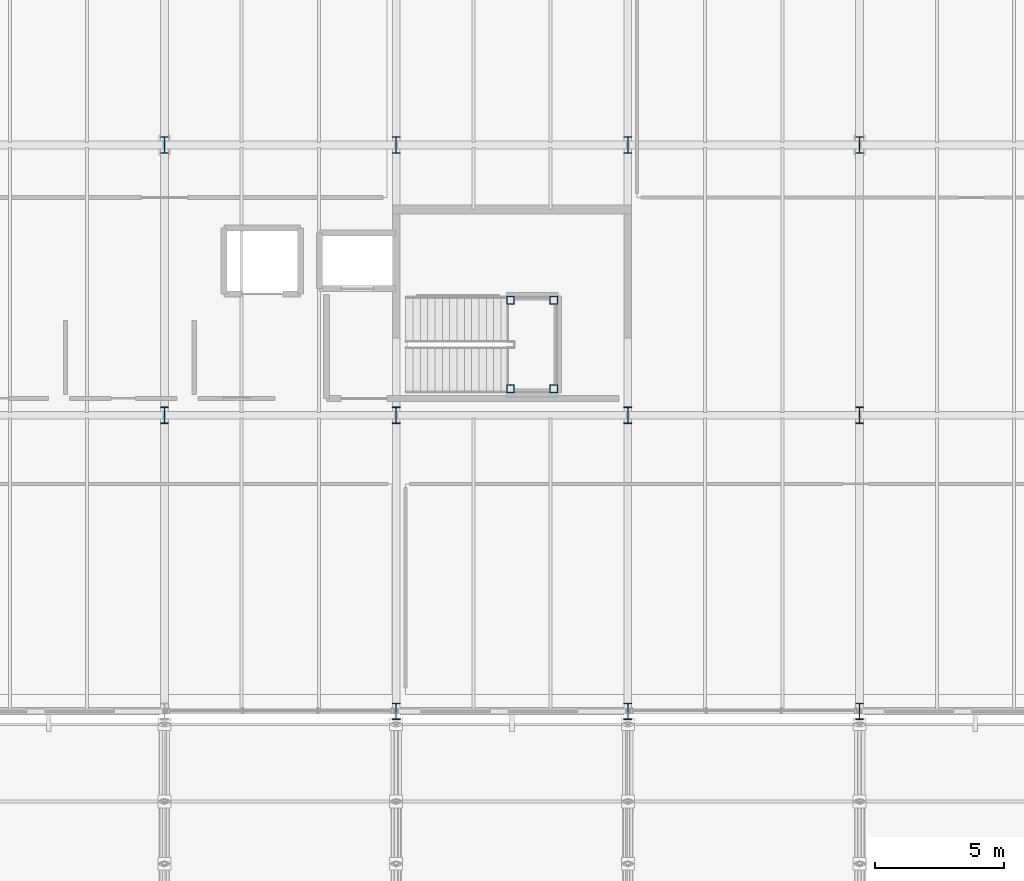
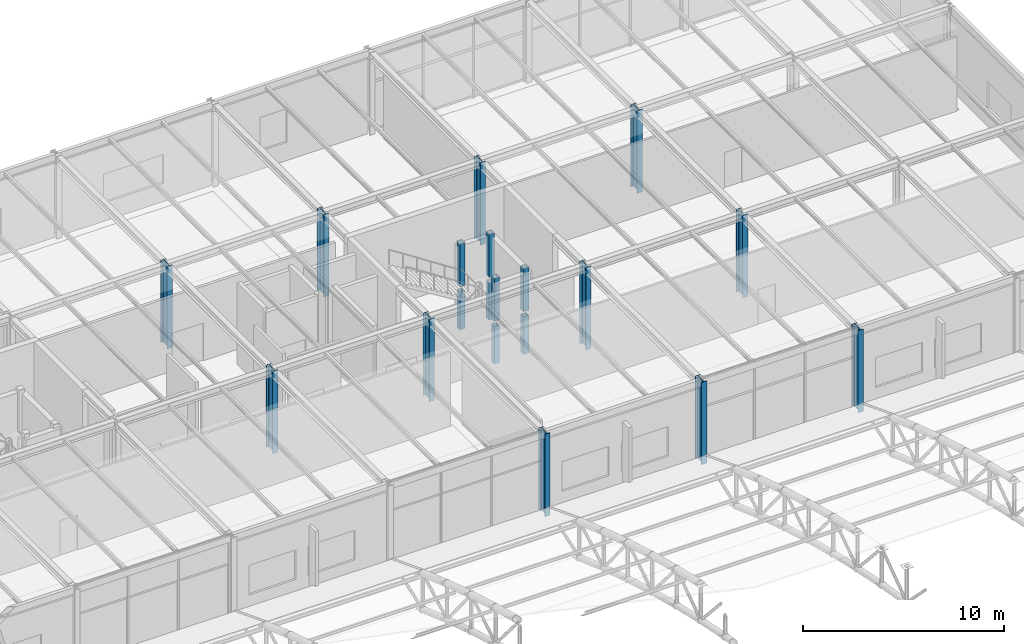
# One storey, part 4 of 195: 19 columns.
"""IFC4 building model written with IfcOpenShell, lengths in metres."""

from ifc_helpers import new_model, si_unit, direction, frame, origin, origin_2d, place, context, subcontext, project, spatial, hollow_rectangle, i_section, extrude, material, material_profile, profile_set, type_object, element, save


model = new_model("IFC4")

# Units and contexts
model_context = context("Model", 3, precision=1e-05, world=origin(), true_north=direction((0.0, 1.0)))
body_context = subcontext(model_context, "Body", "Model", "MODEL_VIEW")
ifc_project = project(units=[si_unit("LENGTHUNIT", "METRE"), si_unit("AREAUNIT", "SQUARE_METRE"), si_unit("VOLUMEUNIT", "CUBIC_METRE"), si_unit("PLANEANGLEUNIT", "RADIAN"), si_unit("MASSUNIT", "GRAM", prefix="KILO")], contexts=[model_context])

# Site, building, storey
site_placement = place(None, origin())
site = spatial("IfcSite", under=ifc_project, at=site_placement, CompositionType="ELEMENT")
building_placement = place(site_placement, origin())
building = spatial("IfcBuilding", under=site, at=building_placement, Name="Marlcrest Central Station", CompositionType="ELEMENT")
storey_placement = place(building_placement, frame((0.0, 0.0, 9.800048828125)))
storey = spatial("IfcBuildingStorey", under=building, at=storey_placement, Name="L02", CompositionType="ELEMENT", Elevation=9.800048828125)

# Columns
ifc_material = material(Name="Steel S355", Category="steel")
ifc_material_profile_1 = material_profile(ifc_material, i_section(OverallWidth=0.300048828125, OverallDepth=0.64990234375, WebThickness=0.01611328125, FlangeThickness=0.031005859375, FilletRadius=0.027099609375, at=origin_2d()), Name="HEB 650")
ifc_profile_set_1 = profile_set([ifc_material_profile_1], Name="Steel S355")
column_type_1 = type_object("IfcColumnType", Name="SC-06", PredefinedType="COLUMN", material=ifc_profile_set_1)
for number, where, z_axis, x_axis, name in (
    (1, (36.0, 110.5, 0.0), (0.0, 0.0, 1.0), (1.0, 0.0, 0.0), "col-SC-06-L02-0134"),
    (2, (36.0, 121.0, 0.0), (0.0, 0.0, 1.0), (1.0, 0.0, 0.0), "col-SC-06-L02-0135"),
    (3, (45.0, 99.0, 0.0), (0.0, 0.0, 1.0), (1.0, 0.0, 0.0), "col-SC-06-L02-0137"),
    (4, (45.0, 110.5, 0.0), (0.0, 0.0, 1.0), (1.0, 0.0, 0.0), "col-SC-06-L02-0138"),
    (5, (45.0, 121.0, 0.0), (0.0, 0.0, 1.0), (1.0, 0.0, 0.0), "col-SC-06-L02-0139"),
    (6, (54.0, 99.0, 0.0), (0.0, 0.0, 1.0), (1.0, 0.0, 0.0), "col-SC-06-L02-0141"),
    (7, (54.0, 110.5, 0.0), (0.0, 0.0, 1.0), (1.0, 0.0, 0.0), "col-SC-06-L02-0142"),
    (8, (54.0, 121.0, 0.0), (0.0, 0.0, 1.0), (1.0, 0.0, 0.0), "col-SC-06-L02-0143"),
    (9, (63.0, 99.0, 0.0), (0.0, 0.0, 1.0), (1.0, 0.0, 0.0), "col-SC-06-L02-0145"),
    (10, (63.0, 110.5, 0.0), (0.0, 0.0, 1.0), (1.0, 0.0, 0.0), "col-SC-06-L02-0146"),
    (11, (63.0, 121.0, 0.0), (0.0, 0.0, 1.0), (1.0, 0.0, 0.0), "col-SC-06-L02-0147"),
):
    element("IfcColumn", number, at=place(storey_placement, frame(where, z_axis=z_axis, x_axis=x_axis)), inside=storey, type_object=column_type_1, Name=name, PredefinedType="COLUMN", context=body_context, shape_type="SweptSolid", body=[
        extrude(i_section(OverallWidth=0.300048828125, OverallDepth=0.64990234375, WebThickness=0.01611328125, FlangeThickness=0.031005859375, FilletRadius=0.027099609375, at=origin_2d()), origin(), (0.0, 0.0, 1.0), 5.0),
    ])
ifc_material_profile_2 = material_profile(ifc_material, hollow_rectangle(XDim=0.300048828125, YDim=0.300048828125, WallThickness=0.01611328125, at=origin_2d()), Name="SHS 300x300x16")
ifc_profile_set_2 = profile_set([ifc_material_profile_2], Name="Steel S355")
column_type_2 = type_object("IfcColumnType", Name="SC-19", PredefinedType="COLUMN", material=ifc_profile_set_2)
column_1_placement = place(storey_placement, frame((49.43994140625, 111.530029296875, 0.0), z_axis=(0.0, 0.0, 1.0), x_axis=(1.0, 0.0, 0.0)))
element("IfcColumn", 12, at=column_1_placement, inside=storey, type_object=column_type_2, Name="htcol-lo-0049-0", PredefinedType="COLUMN", context=body_context, shape_type="SweptSolid", body=[
    extrude(hollow_rectangle(XDim=0.300048828125, YDim=0.300048828125, WallThickness=0.01611328125, at=origin_2d()), origin(), (0.0, 0.0, 1.0), 2.280029296875),
])
column_2_placement = place(storey_placement, frame((49.43994140625, 111.530029296875, 2.599853515625), z_axis=(0.0, 0.0, 1.0), x_axis=(1.0, 0.0, 0.0)))
element("IfcColumn", 13, at=column_2_placement, inside=storey, type_object=column_type_2, Name="htcol-hi-0049-0", PredefinedType="COLUMN", context=body_context, shape_type="SweptSolid", body=[
    extrude(hollow_rectangle(XDim=0.300048828125, YDim=0.300048828125, WallThickness=0.01611328125, at=origin_2d()), origin(), (0.0, 0.0, 1.0), 2.60009765625),
])
column_3_placement = place(storey_placement, frame((51.1201171875, 111.530029296875, 0.0), z_axis=(0.0, 0.0, 1.0), x_axis=(1.0, 0.0, 0.0)))
element("IfcColumn", 14, at=column_3_placement, inside=storey, type_object=column_type_2, Name="htcol-lo-0049-1", PredefinedType="COLUMN", context=body_context, shape_type="SweptSolid", body=[
    extrude(hollow_rectangle(XDim=0.300048828125, YDim=0.300048828125, WallThickness=0.01611328125, at=origin_2d()), origin(), (0.0, 0.0, 1.0), 2.280029296875),
])
column_4_placement = place(storey_placement, frame((51.1201171875, 111.530029296875, 2.599853515625), z_axis=(0.0, 0.0, 1.0), x_axis=(1.0, 0.0, 0.0)))
element("IfcColumn", 15, at=column_4_placement, inside=storey, type_object=column_type_2, Name="htcol-hi-0049-1", PredefinedType="COLUMN", context=body_context, shape_type="SweptSolid", body=[
    extrude(hollow_rectangle(XDim=0.300048828125, YDim=0.300048828125, WallThickness=0.01611328125, at=origin_2d()), origin(), (0.0, 0.0, 1.0), 2.60009765625),
])
column_5_placement = place(storey_placement, frame((51.1201171875, 114.969970703125, 0.0), z_axis=(0.0, 0.0, 1.0), x_axis=(1.0, 0.0, 0.0)))
element("IfcColumn", 16, at=column_5_placement, inside=storey, type_object=column_type_2, Name="htcol-lo-0049-2", PredefinedType="COLUMN", context=body_context, shape_type="SweptSolid", body=[
    extrude(hollow_rectangle(XDim=0.300048828125, YDim=0.300048828125, WallThickness=0.01611328125, at=origin_2d()), origin(), (0.0, 0.0, 1.0), 2.280029296875),
])
column_6_placement = place(storey_placement, frame((51.1201171875, 114.969970703125, 2.599853515625), z_axis=(0.0, 0.0, 1.0), x_axis=(1.0, 0.0, 0.0)))
element("IfcColumn", 17, at=column_6_placement, inside=storey, type_object=column_type_2, Name="htcol-hi-0049-2", PredefinedType="COLUMN", context=body_context, shape_type="SweptSolid", body=[
    extrude(hollow_rectangle(XDim=0.300048828125, YDim=0.300048828125, WallThickness=0.01611328125, at=origin_2d()), origin(), (0.0, 0.0, 1.0), 2.60009765625),
])
column_7_placement = place(storey_placement, frame((49.43994140625, 114.969970703125, 0.0), z_axis=(0.0, 0.0, 1.0), x_axis=(1.0, 0.0, 0.0)))
element("IfcColumn", 18, at=column_7_placement, inside=storey, type_object=column_type_2, Name="htcol-lo-0049-3", PredefinedType="COLUMN", context=body_context, shape_type="SweptSolid", body=[
    extrude(hollow_rectangle(XDim=0.300048828125, YDim=0.300048828125, WallThickness=0.01611328125, at=origin_2d()), origin(), (0.0, 0.0, 1.0), 2.280029296875),
])
column_8_placement = place(storey_placement, frame((49.43994140625, 114.969970703125, 2.599853515625), z_axis=(0.0, 0.0, 1.0), x_axis=(1.0, 0.0, 0.0)))
element("IfcColumn", 19, at=column_8_placement, inside=storey, type_object=column_type_2, Name="htcol-hi-0049-3", PredefinedType="COLUMN", context=body_context, shape_type="SweptSolid", body=[
    extrude(hollow_rectangle(XDim=0.300048828125, YDim=0.300048828125, WallThickness=0.01611328125, at=origin_2d()), origin(), (0.0, 0.0, 1.0), 2.60009765625),
])

save(model, "model.ifc")
